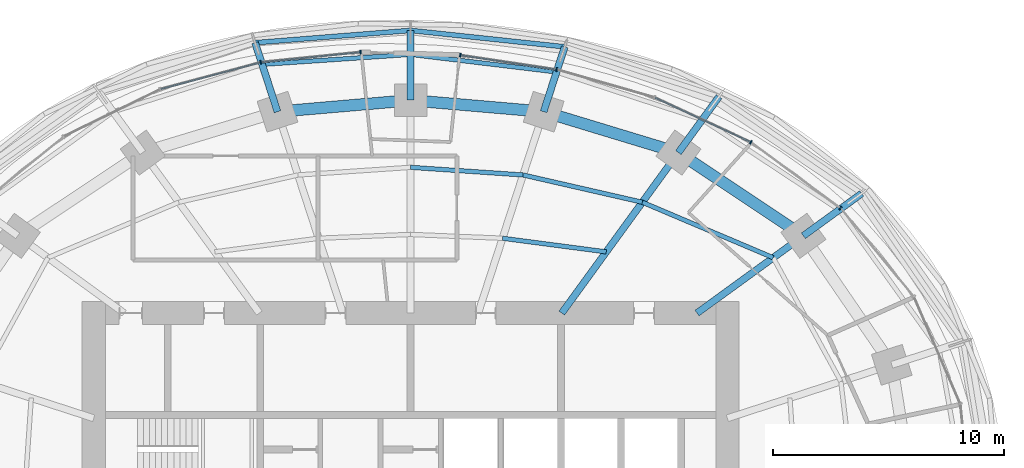
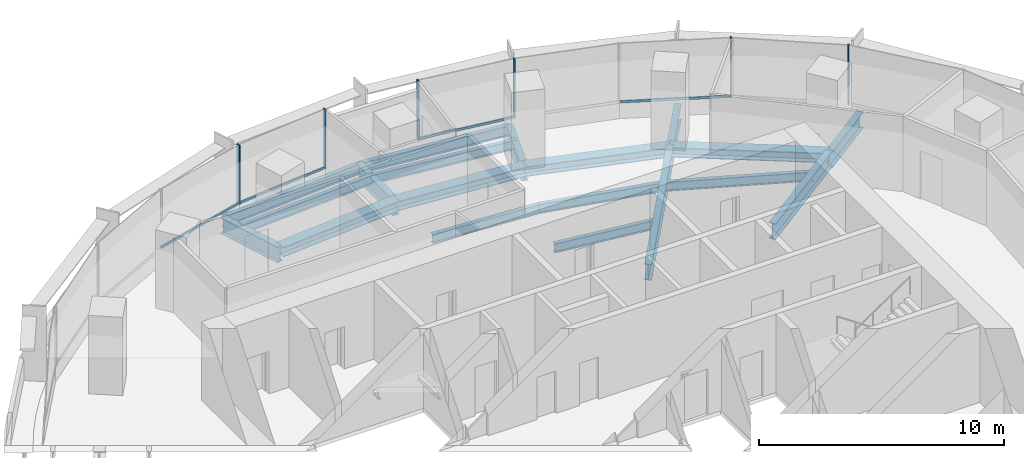
# One storey, part 8 of 17: 15 beams, 14 members, 3 elements without a shape of their own.
"""IFC4 building model written with IfcOpenShell, lengths in metres."""

from ifc_helpers import new_model, si_unit, direction, frame, origin, origin_2d, place, context, subcontext, project, spatial, rectangle, i_section, extrude, material, material_profile, profile_set, type_object, element, aggregate, save


model = new_model("IFC4")

# Units and contexts
model_context = context("Model", 3, precision=1e-05, world=origin(), true_north=direction((0.0, 1.0)))
body_context = subcontext(model_context, "Body", "Model", "MODEL_VIEW")
ifc_project = project(units=[si_unit("LENGTHUNIT", "METRE"), si_unit("AREAUNIT", "SQUARE_METRE"), si_unit("VOLUMEUNIT", "CUBIC_METRE"), si_unit("PLANEANGLEUNIT", "RADIAN"), si_unit("MASSUNIT", "GRAM", prefix="KILO")], contexts=[model_context])

# Site, building, storey
site_placement = place(None, origin())
site = spatial("IfcSite", under=ifc_project, at=site_placement, CompositionType="ELEMENT")
building_placement = place(site_placement, origin())
building = spatial("IfcBuilding", under=site, at=building_placement, Name="Marramba Exchange Tower", CompositionType="ELEMENT")
storey_placement = place(building_placement, frame((0.0, 0.0, 172.10009765625)))
storey = spatial("IfcBuildingStorey", under=building, at=storey_placement, Name="L41", CompositionType="ELEMENT", Elevation=172.10009765625)

# Members
ifc_material_1 = material(Name="Steel AS/NZS 3679.2 grade 300", Category="steel")
ifc_material_profile_1 = material_profile(ifc_material_1, i_section(OverallWidth=0.5, OverallDepth=0.48388671875, WebThickness=0.02490234375, FlangeThickness=0.031982421875, at=origin_2d()), Name="500WC340")
ifc_profile_set_1 = profile_set([ifc_material_profile_1], Name="Steel AS/NZS 3679.2 grade 300")
member_type_1 = type_object("IfcMemberType", Name="Belt truss chord 500WC340", PredefinedType="CHORD", material=ifc_profile_set_1)
member_1_placement = place(storey_placement, frame((16.98583984375, 12.3408203125, -0.442138671875), z_axis=(-0.832293151443, 0.554335737673, 0.0), x_axis=(-0.554335737673, -0.832293151443, 0.0)))
element("IfcMember", 1, at=member_1_placement, inside=storey, type_object=member_type_1, Name="Belt chord L41 TC03-TC04", PredefinedType="CHORD", context=body_context, shape_type="SweptSolid", body=[
    extrude(i_section(OverallWidth=0.5, OverallDepth=0.48388671875, WebThickness=0.02490234375, FlangeThickness=0.031982421875, at=origin_2d()), origin(), (0.0, 0.0, 1.0), 6.49365234375),
])
member_2_placement = place(storey_placement, frame((11.581298828125, 15.9404296875, -0.442138671875), z_axis=(-0.956924542524, 0.290336735387, 0.0), x_axis=(-0.290336735387, -0.956924542524, 0.0)))
element("IfcMember", 2, at=member_2_placement, inside=storey, type_object=member_type_1, Name="Belt chord L41 TC04-TC05", PredefinedType="CHORD", context=body_context, shape_type="SweptSolid", body=[
    extrude(i_section(OverallWidth=0.5, OverallDepth=0.48388671875, WebThickness=0.02490234375, FlangeThickness=0.031982421875, at=origin_2d()), origin(), (0.0, 0.0, 1.0), 6.089599609375),
])
for number, where, z_axis, x_axis, name in (
    (3, (5.75390625, 17.70849609375, -0.442138671875), (-0.996311003275, 0.085815993578, 0.0), (-0.085815993578, -0.996311003275, 0.0), "Belt chord L41 TC05-TC06"),
    (4, (0.0, 18.2041015625, -0.442138671875), (-0.996311003275, -0.085815993578, 0.0), (0.085815993578, -0.996311003275, 0.0), "Belt chord L41 TC06-TC07"),
):
    element("IfcMember", number, at=place(storey_placement, frame(where, z_axis=z_axis, x_axis=x_axis)), inside=storey, type_object=member_type_1, Name=name, PredefinedType="CHORD", context=body_context, shape_type="SweptSolid", body=[
        extrude(i_section(OverallWidth=0.5, OverallDepth=0.48388671875, WebThickness=0.02490234375, FlangeThickness=0.031982421875, at=origin_2d()), origin(), (0.0, 0.0, 1.0), 5.775146484375),
    ])

# Beams
ifc_material_profile_2 = material_profile(ifc_material_1, i_section(OverallWidth=0.300048828125, OverallDepth=0.800048828125, WebThickness=0.013916015625, FlangeThickness=0.031982421875, at=origin_2d()), Name="800WB192")
ifc_profile_set_2 = profile_set([ifc_material_profile_2], Name="Steel AS/NZS 3679.2 grade 300")
beam_type_1 = type_object("IfcBeamType", Name="Cantilever girder 800WB192", PredefinedType="BEAM", material=ifc_profile_set_2)
beam_1_placement = place(storey_placement, frame((16.98583984375, 12.3408203125, -0.650146484375), z_axis=(0.809013970709, 0.58778941399, 0.0), x_axis=(-0.58778941399, 0.809013970709, 0.0)))
element("IfcBeam", 5, at=beam_1_placement, inside=storey, type_object=beam_type_1, Name="Cantilever girder L41 TC03", PredefinedType="BEAM", context=body_context, shape_type="SweptSolid", body=[
    extrude(i_section(OverallWidth=0.300048828125, OverallDepth=0.800048828125, WebThickness=0.013916015625, FlangeThickness=0.031982421875, at=origin_2d()), origin(), (0.0, 0.0, 1.0), 3.1142578125),
])
beam_2_placement = place(storey_placement, frame((11.581298828125, 15.9404296875, -0.650146484375), z_axis=(0.587821738214, 0.808990484544, 0.0), x_axis=(-0.808990484544, 0.587821738214, 0.0)))
element("IfcBeam", 6, at=beam_2_placement, inside=storey, type_object=beam_type_1, Name="Cantilever girder L41 TC04", PredefinedType="BEAM", context=body_context, shape_type="SweptSolid", body=[
    extrude(i_section(OverallWidth=0.300048828125, OverallDepth=0.800048828125, WebThickness=0.013916015625, FlangeThickness=0.031982421875, at=origin_2d()), origin(), (0.0, 0.0, 1.0), 2.987060546875),
])
beam_3_placement = place(storey_placement, frame((5.75390625, 17.70849609375, -0.650146484375), z_axis=(0.309018704887, 0.951055960514, 0.0), x_axis=(-0.951055960514, 0.309018704887, 0.0)))
element("IfcBeam", 7, at=beam_3_placement, inside=storey, type_object=beam_type_1, Name="Cantilever girder L41 TC05", PredefinedType="BEAM", context=body_context, shape_type="SweptSolid", body=[
    extrude(i_section(OverallWidth=0.300048828125, OverallDepth=0.800048828125, WebThickness=0.013916015625, FlangeThickness=0.031982421875, at=origin_2d()), origin(), (0.0, 0.0, 1.0), 2.949951171875),
])
beam_4_placement = place(storey_placement, frame((0.0, 18.2041015625, -0.650146484375), z_axis=(0.0, 1.0, 0.0), x_axis=(-1.0, 0.0, 0.0)))
element("IfcBeam", 8, at=beam_4_placement, inside=storey, type_object=beam_type_1, Name="Cantilever girder L41 TC06", PredefinedType="BEAM", context=body_context, shape_type="SweptSolid", body=[
    extrude(i_section(OverallWidth=0.300048828125, OverallDepth=0.800048828125, WebThickness=0.013916015625, FlangeThickness=0.031982421875, at=origin_2d()), origin(), (0.0, 0.0, 1.0), 3.01904296875),
])
beam_5_placement = place(storey_placement, frame((-5.75390625, 17.70849609375, -0.650146484375), z_axis=(-0.309028002802, 0.95105293937, 0.0), x_axis=(-0.95105293937, -0.309028002802, 0.0)))
element("IfcBeam", 9, at=beam_5_placement, inside=storey, type_object=beam_type_1, Name="Cantilever girder L41 TC07", PredefinedType="BEAM", context=body_context, shape_type="SweptSolid", body=[
    extrude(i_section(OverallWidth=0.300048828125, OverallDepth=0.800048828125, WebThickness=0.013916015625, FlangeThickness=0.031982421875, at=origin_2d()), origin(), (0.0, 0.0, 1.0), 3.13720703125),
])
ifc_material_2 = material(Name="Steel AS/NZS 3679.1 grade 300", Category="steel")
ifc_material_profile_3 = material_profile(ifc_material_2, i_section(OverallWidth=0.19091796875, OverallDepth=0.4599609375, WebThickness=0.010009765625, FlangeThickness=0.01611328125, FilletRadius=0.011474609375, at=origin_2d()), Name="460UB82.1")
ifc_profile_set_3 = profile_set([ifc_material_profile_3], Name="Steel AS/NZS 3679.1 grade 300")
beam_type_2 = type_object("IfcBeamType", Name="Floor joist 460UB82.1", PredefinedType="JOIST", material=ifc_profile_set_3)
beam_6_placement = place(storey_placement, frame((15.682373046875, 11.393798828125, -0.43017578125), z_axis=(-0.920674336375, 0.390331610738, 0.0), x_axis=(-0.390331610738, -0.920674336375, 0.0)))
element("IfcBeam", 10, at=beam_6_placement, inside=storey, type_object=beam_type_2, Name="Joist L41 bay 03 row 2", PredefinedType="JOIST", context=body_context, shape_type="SweptSolid", body=[
    extrude(i_section(OverallWidth=0.19091796875, OverallDepth=0.4599609375, WebThickness=0.010009765625, FlangeThickness=0.01611328125, FilletRadius=0.011474609375, at=origin_2d()), origin(), (0.0, 0.0, 1.0), 6.1484375),
])
beam_7_placement = place(storey_placement, frame((8.4619140625, 11.646728515625, -0.43017578125), z_axis=(-0.991480538255, 0.130254912618, 0.0), x_axis=(-0.130254912618, -0.991480538255, 0.0)))
element("IfcBeam", 11, at=beam_7_placement, inside=storey, type_object=beam_type_2, Name="Joist L41 bay 04 row 1", PredefinedType="JOIST", context=body_context, shape_type="SweptSolid", body=[
    extrude(i_section(OverallWidth=0.19091796875, OverallDepth=0.4599609375, WebThickness=0.010009765625, FlangeThickness=0.01611328125, FilletRadius=0.011474609375, at=origin_2d()), origin(), (0.0, 0.0, 1.0), 4.524658203125),
])
beam_8_placement = place(storey_placement, frame((10.021728515625, 13.793701171875, -0.43017578125), z_axis=(-0.974859652292, 0.222819788916, 0.0), x_axis=(-0.222819788916, -0.974859652292, 0.0)))
element("IfcBeam", 12, at=beam_8_placement, inside=storey, type_object=beam_type_2, Name="Joist L41 bay 04 row 2", PredefinedType="JOIST", context=body_context, shape_type="SweptSolid", body=[
    extrude(i_section(OverallWidth=0.19091796875, OverallDepth=0.4599609375, WebThickness=0.010009765625, FlangeThickness=0.01611328125, FilletRadius=0.011474609375, at=origin_2d()), origin(), (0.0, 0.0, 1.0), 5.2900390625),
])
beam_9_placement = place(storey_placement, frame((4.86474609375, 14.972412109375, -0.43017578125), z_axis=(-0.997702652202, 0.067745241816, 0.0), x_axis=(-0.067745241816, -0.997702652202, 0.0)))
element("IfcBeam", 13, at=beam_9_placement, inside=storey, type_object=beam_type_2, Name="Joist L41 bay 05 row 2", PredefinedType="JOIST", context=body_context, shape_type="SweptSolid", body=[
    extrude(i_section(OverallWidth=0.19091796875, OverallDepth=0.4599609375, WebThickness=0.010009765625, FlangeThickness=0.01611328125, FilletRadius=0.011474609375, at=origin_2d()), origin(), (0.0, 0.0, 1.0), 4.8759765625),
])

# Curtain wall, members
ifc_material_3 = material(Name="Aluminium framing, bronze anodised", Category="aluminium")
curtain_wall_type = type_object("IfcCurtainWallType", Name="Office ribbon curtain wall", PredefinedType="USERDEFINED", material=ifc_material_3)
curtain_wall_1_placement = place(storey_placement, origin())
curtain_wall_1 = element("IfcCurtainWall", 14, at=curtain_wall_1_placement, inside=storey, type_object=curtain_wall_type, Name="Curtain wall CW4 L41 F01-F05", ObjectType="RIBBON CURTAIN WALL", PredefinedType="USERDEFINED")
ifc_material_4 = material(Name="Aluminium mullion, bronze anodised", Category="aluminium")
ifc_material_profile_4 = material_profile(ifc_material_4, rectangle(XDim=0.159912109375, YDim=0.06005859375, at=origin_2d()), Name="CW4 mullion 60x160")
ifc_profile_set_4 = profile_set([ifc_material_profile_4], Name="Aluminium mullion, bronze anodised")
member_type_2 = type_object("IfcMemberType", Name="Office ribbon curtain wall mullion", PredefinedType="MULLION", material=ifc_profile_set_4)
member_3_placement = place(storey_placement, frame((18.587158203125, 13.53955078125, 0.7998046875), z_axis=(0.0, 0.0, 1.0), x_axis=(-0.593441317494, -0.804877259395, 0.0)))
member_3 = element("IfcMember", 15, at=member_3_placement, type_object=member_type_2, Name="CW4 mullion 1", PredefinedType="MULLION", context=body_context, shape_type="SweptSolid", body=[
    extrude(rectangle(XDim=0.159912109375, YDim=0.06005859375, at=origin_2d()), origin(), (0.0, 0.0, 1.0), 2.940185546875),
])
member_4_placement = place(storey_placement, frame((14.7158203125, 16.386474609375, 0.7998046875), z_axis=(0.0, 0.0, 1.0), x_axis=(-0.422133006189, -0.906533907301, 0.0)))
member_4 = element("IfcMember", 16, at=member_4_placement, type_object=member_type_2, Name="CW4 mullion 1", PredefinedType="MULLION", context=body_context, shape_type="SweptSolid", body=[
    extrude(rectangle(XDim=0.159912109375, YDim=0.06005859375, at=origin_2d()), origin(), (0.0, 0.0, 1.0), 2.940185546875),
])

curtain_wall_2_placement = place(storey_placement, origin())
curtain_wall_2 = element("IfcCurtainWall", 17, at=curtain_wall_2_placement, inside=storey, type_object=curtain_wall_type, Name="Curtain wall CW4 L41 F06-F07", ObjectType="RIBBON CURTAIN WALL", PredefinedType="USERDEFINED")
member_5_placement = place(storey_placement, frame((6.313232421875, 19.526123046875, 0.7998046875), z_axis=(0.0, 0.0, 1.0), x_axis=(-0.148794988635, -0.988868065698, 0.0)))
member_5 = element("IfcMember", 18, at=member_5_placement, type_object=member_type_2, Name="CW4 mullion 1", PredefinedType="MULLION", context=body_context, shape_type="SweptSolid", body=[
    extrude(rectangle(XDim=0.159912109375, YDim=0.06005859375, at=origin_2d()), origin(), (0.0, 0.0, 1.0), 2.940185546875),
])
member_6_placement = place(storey_placement, frame((2.148193359375, 20.15283203125, 0.7998046875), z_axis=(0.0, 0.0, 1.0), x_axis=(-0.148794988635, -0.988868065698, 0.0)))
member_6 = element("IfcMember", 19, at=member_6_placement, type_object=member_type_2, Name="CW4 mullion 2", PredefinedType="MULLION", context=body_context, shape_type="SweptSolid", body=[
    extrude(rectangle(XDim=0.159912109375, YDim=0.06005859375, at=origin_2d()), origin(), (0.0, 0.0, 1.0), 2.940185546875),
])

curtain_wall_3_placement = place(storey_placement, origin())
curtain_wall_3 = element("IfcCurtainWall", 20, at=curtain_wall_3_placement, inside=storey, type_object=curtain_wall_type, Name="Curtain wall CW4 L41 F09-F10", ObjectType="RIBBON CURTAIN WALL", PredefinedType="USERDEFINED")
member_7_placement = place(storey_placement, frame((-2.162109375, 20.28369140625, 0.7998046875), z_axis=(0.0, 0.0, 1.0), x_axis=(0.100862673507, -0.994900357369, 0.0)))
member_7 = element("IfcMember", 21, at=member_7_placement, type_object=member_type_2, Name="CW4 mullion 1", PredefinedType="MULLION", context=body_context, shape_type="SweptSolid", body=[
    extrude(rectangle(XDim=0.159912109375, YDim=0.06005859375, at=origin_2d()), origin(), (0.0, 0.0, 1.0), 2.940185546875),
])
member_8_placement = place(storey_placement, frame((-6.478271484375, 19.84130859375, 0.7998046875), z_axis=(0.0, 0.0, 1.0), x_axis=(0.257641223778, -0.966240653155, 0.0)))
member_8 = element("IfcMember", 22, at=member_8_placement, type_object=member_type_2, Name="CW4 mullion 1", PredefinedType="MULLION", context=body_context, shape_type="SweptSolid", body=[
    extrude(rectangle(XDim=0.159912109375, YDim=0.06005859375, at=origin_2d()), origin(), (0.0, 0.0, 1.0), 2.940185546875),
])

# Member
ifc_material_5 = material(Name="Aluminium transom, bronze anodised", Category="aluminium")
ifc_material_profile_5 = material_profile(ifc_material_5, rectangle(XDim=0.06005859375, YDim=0.1201171875, at=origin_2d()), Name="CW4 transom 60x120")
ifc_profile_set_5 = profile_set([ifc_material_profile_5], Name="Aluminium transom, bronze anodised")
member_type_3 = type_object("IfcMemberType", Name="Office ribbon curtain wall transom", PredefinedType="USERDEFINED", material=ifc_profile_set_5)
member_9_placement = place(storey_placement, frame((14.688720703125, 16.399169921875, 0.829833984375), z_axis=(-0.906548348139, 0.422101992989, 0.0), x_axis=(-0.422101992989, -0.906548348139, 0.0)))
member_9 = element("IfcMember", 23, at=member_9_placement, type_object=member_type_3, Name="CW4 sill transom", ObjectType="TRANSOM", PredefinedType="USERDEFINED", context=body_context, shape_type="SweptSolid", body=[
    extrude(rectangle(XDim=0.06005859375, YDim=0.1201171875, at=origin_2d()), origin(), (0.0, 0.0, 1.0), 4.53857421875),
])

aggregate(curtain_wall_1, [member_3, member_4, member_9])

member_10_placement = place(storey_placement, frame((6.28369140625, 19.53076171875, 0.829833984375), z_axis=(-0.988871994877, 0.148768873583, 0.0), x_axis=(-0.148768873583, -0.988871994877, 0.0)))
member_10 = element("IfcMember", 24, at=member_10_placement, type_object=member_type_3, Name="CW4 sill transom", ObjectType="TRANSOM", PredefinedType="USERDEFINED", context=body_context, shape_type="SweptSolid", body=[
    extrude(rectangle(XDim=0.06005859375, YDim=0.1201171875, at=origin_2d()), origin(), (0.0, 0.0, 1.0), 4.15185546875),
])

aggregate(curtain_wall_2, [member_5, member_6, member_10])

member_11_placement = place(storey_placement, frame((-2.19189453125, 20.280517578125, 0.829833984375), z_axis=(-0.99489954864, -0.100870650418, 0.0), x_axis=(0.100870650418, -0.99489954864, 0.0)))
member_11 = element("IfcMember", 25, at=member_11_placement, type_object=member_type_3, Name="CW4 sill transom", ObjectType="TRANSOM", PredefinedType="USERDEFINED", context=body_context, shape_type="SweptSolid", body=[
    extrude(rectangle(XDim=0.06005859375, YDim=0.1201171875, at=origin_2d()), origin(), (0.0, 0.0, 1.0), 4.279052734375),
])

member_12_placement = place(storey_placement, frame((-6.50732421875, 19.83349609375, 0.829833984375), z_axis=(-0.966237681407, -0.25765236857, 0.0), x_axis=(0.25765236857, -0.966237681407, 0.0)))
member_12 = element("IfcMember", 26, at=member_12_placement, type_object=member_type_3, Name="CW4 sill transom", ObjectType="TRANSOM", PredefinedType="USERDEFINED", context=body_context, shape_type="SweptSolid", body=[
    extrude(rectangle(XDim=0.06005859375, YDim=0.1201171875, at=origin_2d()), origin(), (0.0, 0.0, 1.0), 4.43359375),
])

aggregate(curtain_wall_3, [member_7, member_11, member_8, member_12])

# Beams
ifc_material_profile_6 = material_profile(ifc_material_1, i_section(OverallWidth=0.300048828125, OverallDepth=0.800048828125, WebThickness=0.013916015625, FlangeThickness=0.031982421875, at=origin_2d()), Name="800WB192")
ifc_profile_set_6 = profile_set([ifc_material_profile_6], Name="Steel AS/NZS 3679.2 grade 300")
beam_type_3 = type_object("IfcBeamType", Name="Radial girder 800WB192", PredefinedType="BEAM", material=ifc_profile_set_6)
beam_10_placement = place(storey_placement, frame((12.387451171875, 9.0, -0.60009765625), z_axis=(0.809025746925, 0.587773205252, 0.0), x_axis=(-0.587773205252, 0.809025746925, 0.0)))
element("IfcBeam", 27, at=beam_10_placement, inside=storey, type_object=beam_type_3, Name="Radial girder L41 TC03", PredefinedType="BEAM", context=body_context, shape_type="SweptSolid", body=[
    extrude(i_section(OverallWidth=0.300048828125, OverallDepth=0.800048828125, WebThickness=0.013916015625, FlangeThickness=0.031982421875, at=origin_2d()), origin(), (0.0, 0.0, 1.0), 5.683837890625),
])
beam_11_placement = place(storey_placement, frame((6.538818359375, 9.0, -0.60009765625), z_axis=(0.587782439969, 0.80901903764, 0.0), x_axis=(-0.80901903764, 0.587782439969, 0.0)))
element("IfcBeam", 28, at=beam_11_placement, inside=storey, type_object=beam_type_3, Name="Radial girder L41 TC04", PredefinedType="BEAM", context=body_context, shape_type="SweptSolid", body=[
    extrude(i_section(OverallWidth=0.300048828125, OverallDepth=0.800048828125, WebThickness=0.013916015625, FlangeThickness=0.031982421875, at=origin_2d()), origin(), (0.0, 0.0, 1.0), 8.578857421875),
])
ifc_material_profile_7 = material_profile(ifc_material_2, i_section(OverallWidth=0.19091796875, OverallDepth=0.4599609375, WebThickness=0.010009765625, FlangeThickness=0.01611328125, FilletRadius=0.011474609375, at=origin_2d()), Name="460UB82.1")
ifc_profile_set_7 = profile_set([ifc_material_profile_7], Name="Steel AS/NZS 3679.1 grade 300")
beam_type_4 = type_object("IfcBeamType", Name="Slab edge beam 460UB82.1", PredefinedType="SPANDREL", material=ifc_profile_set_7)
beam_12_placement = place(storey_placement, frame((6.31201171875, 19.426513671875, -0.43017578125), z_axis=(-0.992833525914, 0.119505605811, 0.0), x_axis=(-0.119505605811, -0.992833525914, 0.0)))
element("IfcBeam", 29, at=beam_12_placement, inside=storey, type_object=beam_type_4, Name="Slab edge beam L41 TC05-TC06", PredefinedType="SPANDREL", context=body_context, shape_type="SweptSolid", body=[
    extrude(i_section(OverallWidth=0.19091796875, OverallDepth=0.4599609375, WebThickness=0.010009765625, FlangeThickness=0.01611328125, FilletRadius=0.011474609375, at=origin_2d()), origin(), (0.0, 0.0, 1.0), 6.357666015625),
])
beam_13_placement = place(storey_placement, frame((0.0, 20.186279296875, -0.43017578125), z_axis=(-0.997738737775, -0.06721168903, 0.0), x_axis=(0.06721168903, -0.997738737775, 0.0)))
element("IfcBeam", 30, at=beam_13_placement, inside=storey, type_object=beam_type_4, Name="Slab edge beam L41 TC06-TC07", PredefinedType="SPANDREL", context=body_context, shape_type="SweptSolid", body=[
    extrude(i_section(OverallWidth=0.19091796875, OverallDepth=0.4599609375, WebThickness=0.010009765625, FlangeThickness=0.01611328125, FilletRadius=0.011474609375, at=origin_2d()), origin(), (0.0, 0.0, 1.0), 6.43310546875),
])
ifc_material_profile_8 = material_profile(ifc_material_2, i_section(OverallWidth=0.208984375, OverallDepth=0.528076171875, WebThickness=0.009521484375, FlangeThickness=0.01318359375, FilletRadius=0.013916015625, at=origin_2d()), Name="530UB82.0")
ifc_profile_set_8 = profile_set([ifc_material_profile_8], Name="Steel AS/NZS 3679.1 grade 300")
beam_type_5 = type_object("IfcBeamType", Name="Slab edge beam 530UB82.0", PredefinedType="SPANDREL", material=ifc_profile_set_8)
beam_14_placement = place(storey_placement, frame((6.66552734375, 20.51416015625, -0.51416015625), z_axis=(-0.994390706415, 0.105769196815, 0.0), x_axis=(-0.105769196815, -0.994390706415, 0.0)))
element("IfcBeam", 31, at=beam_14_placement, inside=storey, type_object=beam_type_5, Name="Setback roof edge beam L41 TC05-TC06", PredefinedType="SPANDREL", context=body_context, shape_type="SweptSolid", body=[
    extrude(i_section(OverallWidth=0.208984375, OverallDepth=0.528076171875, WebThickness=0.009521484375, FlangeThickness=0.01318359375, FilletRadius=0.013916015625, at=origin_2d()), origin(), (0.0, 0.0, 1.0), 6.703125),
])
beam_15_placement = place(storey_placement, frame((0.0, 21.22314453125, -0.51416015625), z_axis=(-0.996895681721, -0.078733726996, 0.0), x_axis=(0.078733726996, -0.996895681721, 0.0)))
element("IfcBeam", 32, at=beam_15_placement, inside=storey, type_object=beam_type_5, Name="Setback roof edge beam L41 TC06-TC07", PredefinedType="SPANDREL", context=body_context, shape_type="SweptSolid", body=[
    extrude(i_section(OverallWidth=0.208984375, OverallDepth=0.528076171875, WebThickness=0.009521484375, FlangeThickness=0.01318359375, FilletRadius=0.013916015625, at=origin_2d()), origin(), (0.0, 0.0, 1.0), 6.744384765625),
])

save(model, "model.ifc")
